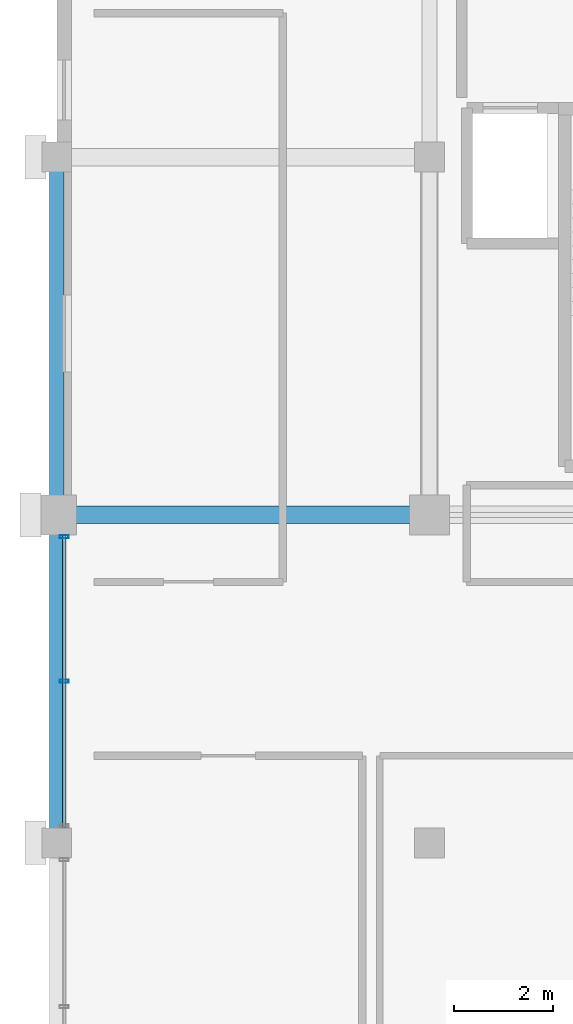
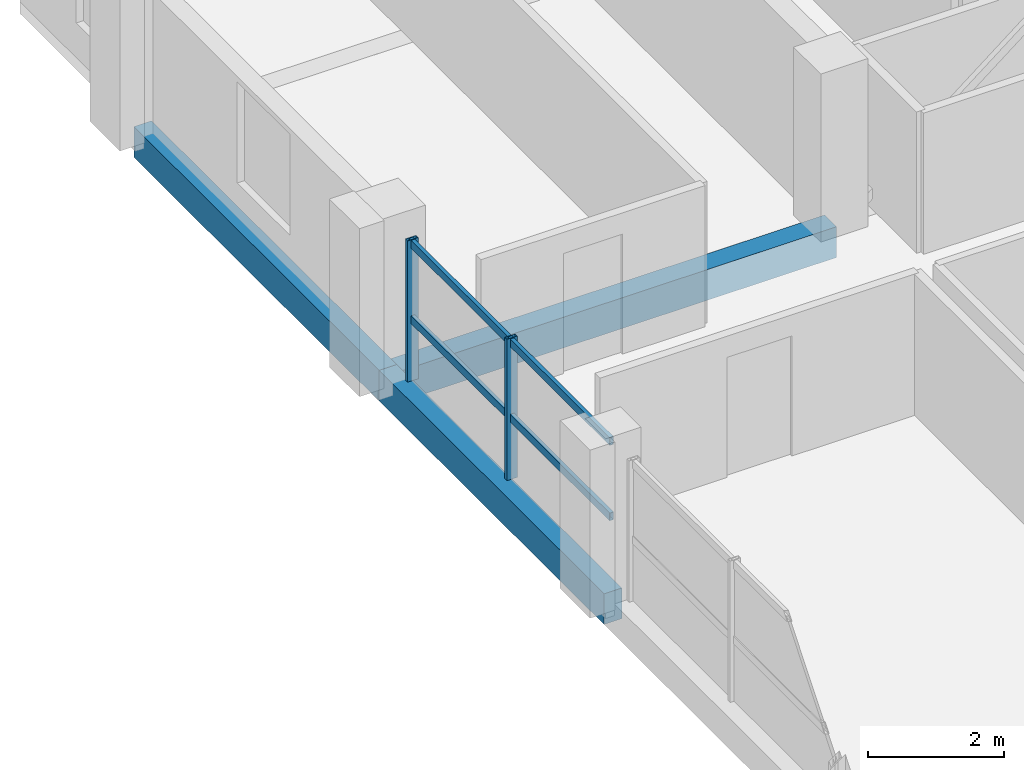
# One storey, part 7 of 24: 4 members, 3 beams, 1 element without a shape of its own.
"""IFC4 building model written with IfcOpenShell, lengths in metres."""

from ifc_helpers import new_model, si_unit, direction, frame, origin, origin_2d, place, context, subcontext, project, spatial, rectangle, hollow_rectangle, extrude, material, material_profile, profile_set, type_object, element, aggregate, save


model = new_model("IFC4")

# Units and contexts
model_context = context("Model", 3, precision=1e-05, world=origin(), true_north=direction((0.0, 1.0)))
body_context = subcontext(model_context, "Body", "Model", "MODEL_VIEW")
ifc_project = project(units=[si_unit("LENGTHUNIT", "METRE"), si_unit("AREAUNIT", "SQUARE_METRE"), si_unit("VOLUMEUNIT", "CUBIC_METRE"), si_unit("PLANEANGLEUNIT", "RADIAN"), si_unit("MASSUNIT", "GRAM", prefix="KILO")], contexts=[model_context])

# Site, building, storey
site_placement = place(None, origin())
site = spatial("IfcSite", under=ifc_project, at=site_placement, CompositionType="ELEMENT")
building_placement = place(site_placement, origin())
building = spatial("IfcBuilding", under=site, at=building_placement, Name="Akrevak Sports Hall", CompositionType="ELEMENT")
storey_placement = place(building_placement, frame((0.0, 0.0, 63.300048828125)))
storey = spatial("IfcBuildingStorey", under=building, at=storey_placement, Name="L16", CompositionType="ELEMENT", Elevation=63.300048828125)

# Curtain wall, members
ifc_material_1 = material(Name="Anodized Bronze Aluminium & Low-E Glass", Category="aluminium")
curtain_wall_type = type_object("IfcCurtainWallType", Name="ARC-CW-TWR-72x30", PredefinedType="NOTDEFINED", material=ifc_material_1)
curtain_wall_placement = place(storey_placement, origin())
curtain_wall = element("IfcCurtainWall", 1, at=curtain_wall_placement, inside=storey, type_object=curtain_wall_type, Name="Curtain Wall CW-L16-W28", PredefinedType="NOTDEFINED")
ifc_material_2 = material(Name="Anodized Bronze Aluminium", Category="aluminium")
ifc_material_profile_1 = material_profile(ifc_material_2, hollow_rectangle(XDim=0.06494140625, YDim=0.179931640625, WallThickness=0.00390625, at=origin_2d()), Name="CWM 65x180", Category="aluminium")
ifc_profile_set_1 = profile_set([ifc_material_profile_1], Name="Anodized Bronze Aluminium")
member_type_1 = type_object("IfcMemberType", Name="ARC-CWM-65x140", PredefinedType="MULLION", material=ifc_profile_set_1)
member_1_placement = place(storey_placement, frame((52.64990234375, 54.760009765625, 0.0), z_axis=(0.0, 0.0, 1.0), x_axis=(0.0, -1.0, 0.0)))
member_1 = element("IfcMember", 2, at=member_1_placement, type_object=member_type_1, Name="Curtain Wall Mullion CW-L16-W28-M1", PredefinedType="MULLION", context=body_context, shape_type="SweptSolid", body=[
    extrude(hollow_rectangle(XDim=0.06494140625, YDim=0.179931640625, WallThickness=0.00390625, at=origin_2d()), origin(), (0.0, 0.0, 1.0), 2.530029296875),
])
member_2_placement = place(storey_placement, frame((52.64990234375, 51.85009765625, 0.0), z_axis=(0.0, 0.0, 1.0), x_axis=(0.0, -1.0, 0.0)))
member_2 = element("IfcMember", 3, at=member_2_placement, type_object=member_type_1, Name="Curtain Wall Mullion CW-L16-W28-M2", PredefinedType="MULLION", context=body_context, shape_type="SweptSolid", body=[
    extrude(hollow_rectangle(XDim=0.06494140625, YDim=0.179931640625, WallThickness=0.00390625, at=origin_2d()), origin(), (0.0, 0.0, 1.0), 2.530029296875),
])
ifc_material_profile_2 = material_profile(ifc_material_2, hollow_rectangle(XDim=0.06494140625, YDim=0.139892578125, WallThickness=0.00390625, at=origin_2d()), Name="CWT 65x140", Category="aluminium")
ifc_profile_set_2 = profile_set([ifc_material_profile_2], Name="Anodized Bronze Aluminium")
member_type_2 = type_object("IfcMemberType", Name="ARC-CWT-65x110", PredefinedType="USERDEFINED", material=ifc_profile_set_2)
member_3_placement = place(storey_placement, frame((52.64990234375, 54.800048828125, 1.099853515625), z_axis=(0.0, -1.0, 0.0), x_axis=(1.0, 0.0, 0.0)))
member_3 = element("IfcMember", 4, at=member_3_placement, type_object=member_type_2, Name="Curtain Wall Transom CW-L16-W28-T1", ObjectType="TRANSOM", PredefinedType="USERDEFINED", context=body_context, shape_type="SweptSolid", body=[
    extrude(hollow_rectangle(XDim=0.06494140625, YDim=0.139892578125, WallThickness=0.00390625, at=origin_2d()), origin(), (0.0, 0.0, 1.0), 5.900146484375),
])
member_4_placement = place(storey_placement, frame((52.64990234375, 54.800048828125, 2.449951171875), z_axis=(0.0, -1.0, 0.0), x_axis=(1.0, 0.0, 0.0)))
member_4 = element("IfcMember", 5, at=member_4_placement, type_object=member_type_2, Name="Curtain Wall Transom CW-L16-W28-T2", ObjectType="TRANSOM", PredefinedType="USERDEFINED", context=body_context, shape_type="SweptSolid", body=[
    extrude(hollow_rectangle(XDim=0.06494140625, YDim=0.139892578125, WallThickness=0.00390625, at=origin_2d()), origin(), (0.0, 0.0, 1.0), 5.900146484375),
])
aggregate(curtain_wall, [member_1, member_2, member_3, member_4])

# Beams
ifc_material_3 = material(Name="Concrete C40/50", Category="concrete")
ifc_material_profile_3 = material_profile(ifc_material_3, rectangle(XDim=0.300048828125, YDim=0.550048828125, at=origin_2d()), Name="BM 300x550", Category="concrete")
ifc_profile_set_3 = profile_set([ifc_material_profile_3], Name="Concrete C40/50")
beam_type_1 = type_object("IfcBeamType", Name="STR-BM-RC300x550", PredefinedType="BEAM", material=ifc_profile_set_3)
beam_1_placement = place(storey_placement, frame((52.5, 48.60009765625, -0.275146484375), z_axis=(0.0, 1.0, 0.0), x_axis=(-1.0, 0.0, 0.0)))
element("IfcBeam", 6, at=beam_1_placement, inside=storey, type_object=beam_type_1, Name="Girder 8/H-I (L16)", PredefinedType="BEAM", context=body_context, shape_type="SweptSolid", body=[
    extrude(rectangle(XDim=0.300048828125, YDim=0.550048828125, at=origin_2d()), origin(), (0.0, 0.0, 1.0), 6.599853515625),
])
beam_2_placement = place(storey_placement, frame((52.5, 55.199951171875, -0.275146484375), z_axis=(0.0, 1.0, 0.0), x_axis=(-1.0, 0.0, 0.0)))
element("IfcBeam", 7, at=beam_2_placement, inside=storey, type_object=beam_type_1, Name="Girder 8/I-J (L16)", PredefinedType="BEAM", context=body_context, shape_type="SweptSolid", body=[
    extrude(rectangle(XDim=0.300048828125, YDim=0.550048828125, at=origin_2d()), origin(), (0.0, 0.0, 1.0), 7.199951171875),
])
ifc_material_profile_4 = material_profile(ifc_material_3, rectangle(XDim=0.35009765625, YDim=0.550048828125, at=origin_2d()), Name="BM 350x550", Category="concrete")
ifc_profile_set_4 = profile_set([ifc_material_profile_4], Name="Concrete C40/50")
beam_type_2 = type_object("IfcBeamType", Name="STR-BM-RC350x550", PredefinedType="BEAM", material=ifc_profile_set_4)
beam_3_placement = place(storey_placement, frame((52.5, 55.199951171875, -0.275146484375), z_axis=(1.0, 0.0, 0.0), x_axis=(0.0, 1.0, 0.0)))
element("IfcBeam", 8, at=beam_3_placement, inside=storey, type_object=beam_type_2, Name="Girder I/8-9 (L16)", PredefinedType="BEAM", context=body_context, shape_type="SweptSolid", body=[
    extrude(rectangle(XDim=0.35009765625, YDim=0.550048828125, at=origin_2d()), origin(), (0.0, 0.0, 1.0), 7.5),
])

save(model, "model.ifc")
